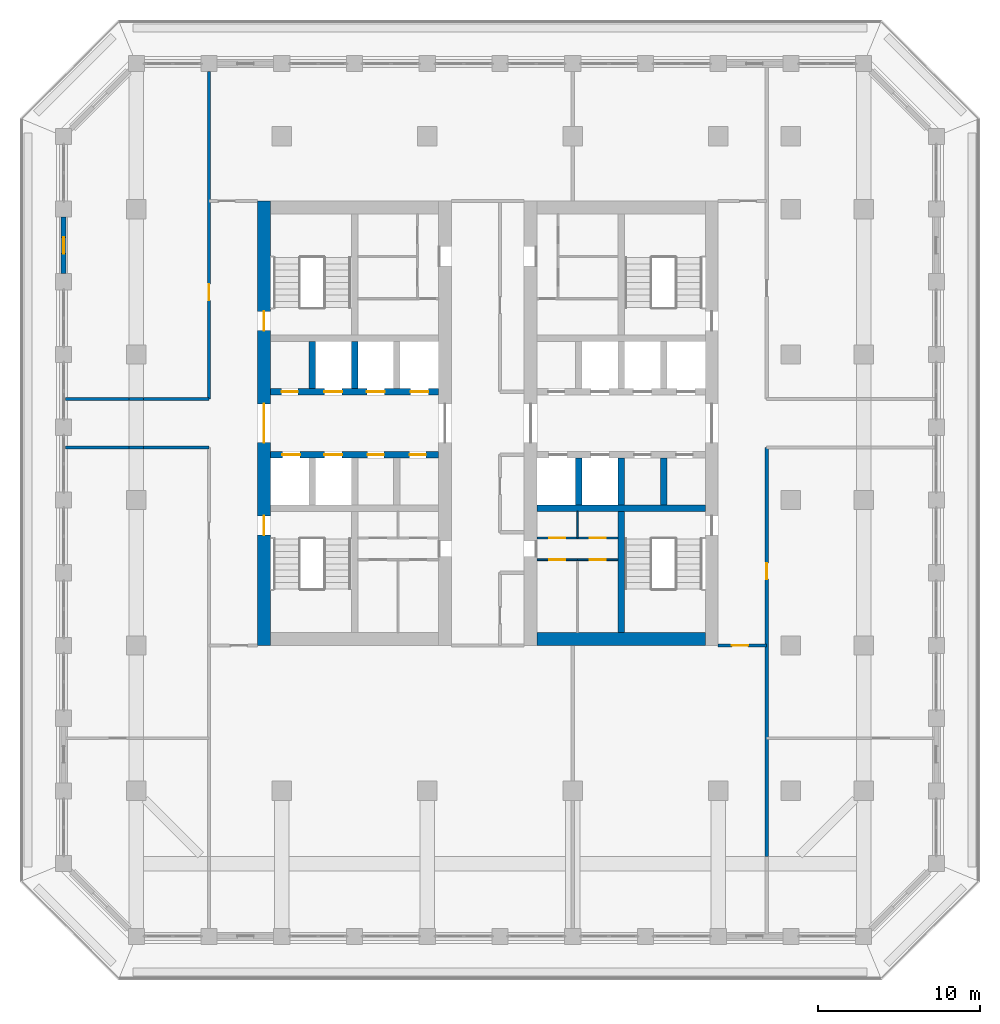
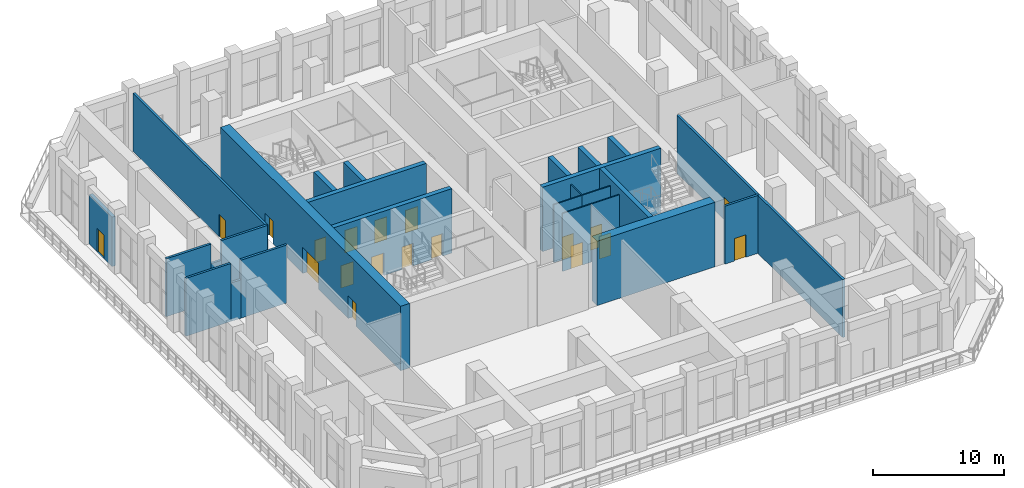
# One storey, part 14 of 25: 26 walls, 19 doors, 19 openings.
"""IFC4 building model written with IfcOpenShell, lengths in metres."""

from ifc_helpers import new_model, si_unit, direction, frame, frame_2d, origin, place, context, subcontext, project, spatial, rectangle, extrude, material, layer, layer_set, type_object, element, fill, save


model = new_model("IFC4")

# Units and contexts
model_context = context("Model", 3, precision=1e-05, world=origin(), true_north=direction((0.0, 1.0)))
body_context = subcontext(model_context, "Body", "Model", "MODEL_VIEW")
ifc_project = project(units=[si_unit("LENGTHUNIT", "METRE"), si_unit("AREAUNIT", "SQUARE_METRE"), si_unit("VOLUMEUNIT", "CUBIC_METRE"), si_unit("PLANEANGLEUNIT", "RADIAN"), si_unit("MASSUNIT", "GRAM", prefix="KILO")], contexts=[model_context])

# Site, building, storey
site_placement = place(None, origin())
site = spatial("IfcSite", under=ifc_project, at=site_placement, CompositionType="ELEMENT")
building_placement = place(site_placement, origin())
building = spatial("IfcBuilding", under=site, at=building_placement, Name="Corbel Stack Research Tower", CompositionType="ELEMENT")
storey_placement = place(building_placement, frame((0.0, 0.0, 220.199951171875)))
storey = spatial("IfcBuildingStorey", under=building, at=storey_placement, Name="L50", CompositionType="ELEMENT", Elevation=220.199951171875)

# Wall, openings, doors
ifc_material_1 = material(Name="Concrete C60/75", Category="concrete")
ifc_layer_1 = layer(ifc_material_1, 0.39990234375)
ifc_layer_set_1 = layer_set([ifc_layer_1], Name="Concrete C60/75")
wall_type_1 = type_object("IfcWallType", Name="CW-400-60", PredefinedType="SHEAR", material=ifc_layer_set_1)
wall_1_placement = place(storey_placement, frame((-9.699951171875, 2.800048828125, 0.0), z_axis=(0.0, 0.0, 1.0), x_axis=(1.0, 0.0, 0.0)))
wall_1 = element("IfcWall", 1, at=wall_1_placement, inside=storey, type_object=wall_type_1, Name="West core wall, lobby south L50", PredefinedType="SHEAR", context=body_context, shape_type="SweptSolid", body=[
    extrude(rectangle(XDim=10.39990234375, YDim=0.39990234375, at=frame_2d((5.199951171875, 0.0))), origin(), (0.0, 0.0, 1.0), 6.0),
])
opening_1_placement = place(wall_1_placement, frame((0.737548828125, 0.0, 0.0)))
opening_1 = element("IfcOpeningElement", 2, at=opening_1_placement, cuts=wall_1, Name="Opening LD-FS1", PredefinedType="OPENING", context=body_context, shape_type="SweptSolid", body=[
    extrude(rectangle(XDim=1.10009765625, YDim=2.10009765625, at=frame_2d((0.550048828125, 1.050048828125))), frame((0.0, 0.2099609375, 0.0), z_axis=(0.0, -1.0, 0.0), x_axis=(1.0, 0.0, 0.0)), (0.0, 0.0, 1.0), 0.419921875),
])
opening_2_placement = place(wall_1_placement, frame((3.33740234375, 0.0, 0.0)))
opening_2 = element("IfcOpeningElement", 3, at=opening_2_placement, cuts=wall_1, Name="Opening LD-GL1", PredefinedType="OPENING", context=body_context, shape_type="SweptSolid", body=[
    extrude(rectangle(XDim=1.10009765625, YDim=2.10009765625, at=frame_2d((0.550048828125, 1.050048828125))), frame((0.0, 0.2099609375, 0.0), z_axis=(0.0, -1.0, 0.0), x_axis=(1.0, 0.0, 0.0)), (0.0, 0.0, 1.0), 0.419921875),
])
opening_3_placement = place(wall_1_placement, frame((6.012451171875, 0.0, 0.0)))
opening_3 = element("IfcOpeningElement", 4, at=opening_3_placement, cuts=wall_1, Name="Opening CR-W54-S3", PredefinedType="OPENING", context=body_context, shape_type="SweptSolid", body=[
    extrude(rectangle(XDim=1.0, YDim=2.10009765625, at=frame_2d((0.5, 1.050048828125))), frame((0.0, 0.2099609375, 0.0), z_axis=(0.0, -1.0, 0.0), x_axis=(1.0, 0.0, 0.0)), (0.0, 0.0, 1.0), 0.419921875),
])
opening_4_placement = place(wall_1_placement, frame((8.612548828125, 0.0, 0.0)))
opening_4 = element("IfcOpeningElement", 5, at=opening_4_placement, cuts=wall_1, Name="Opening CR-W54-S4", PredefinedType="OPENING", context=body_context, shape_type="SweptSolid", body=[
    extrude(rectangle(XDim=1.0, YDim=2.10009765625, at=frame_2d((0.5, 1.050048828125))), frame((0.0, 0.2099609375, 0.0), z_axis=(0.0, -1.0, 0.0), x_axis=(1.0, 0.0, 0.0)), (0.0, 0.0, 1.0), 0.419921875),
])
ifc_material_2 = material(Name="Stainless steel landing door", Category="steel")
door_type_1 = type_object("IfcDoorType", Name="Lift landing door 1100 x 2100", OperationType="DOUBLE_DOOR_SLIDING", PredefinedType="DOOR", material=ifc_material_2)
door_1_placement = place(opening_1_placement, origin())
door_1 = element("IfcDoor", 6, at=door_1_placement, inside=storey, type_object=door_type_1, Name="Landing door FS1", OperationType="DOUBLE_DOOR_SLIDING", OverallHeight=2.10009765625, OverallWidth=1.10009765625, PredefinedType="DOOR", context=body_context, shape_type="SweptSolid", body=[
    extrude(rectangle(XDim=1.10009765625, YDim=2.10009765625, at=frame_2d((0.550048828125, 1.050048828125))), frame((0.0, 0.02490234375, 0.0), z_axis=(0.0, -1.0, 0.0), x_axis=(1.0, 0.0, 0.0)), (0.0, 0.0, 1.0), 0.050048828125),
])
fill(opening_1, door_1)
door_2_placement = place(opening_2_placement, origin())
door_2 = element("IfcDoor", 7, at=door_2_placement, inside=storey, type_object=door_type_1, Name="Landing door GL1", OperationType="DOUBLE_DOOR_SLIDING", OverallHeight=2.10009765625, OverallWidth=1.10009765625, PredefinedType="DOOR", context=body_context, shape_type="SweptSolid", body=[
    extrude(rectangle(XDim=1.10009765625, YDim=2.10009765625, at=frame_2d((0.550048828125, 1.050048828125))), frame((0.0, 0.02490234375, 0.0), z_axis=(0.0, -1.0, 0.0), x_axis=(1.0, 0.0, 0.0)), (0.0, 0.0, 1.0), 0.050048828125),
])
fill(opening_2, door_2)
ifc_material_3 = material(Name="Painted steel door", Category="steel")
door_type_2 = type_object("IfcDoorType", Name="Service door 1000 x 2100 FD60 left hand", OperationType="SINGLE_SWING_LEFT", PredefinedType="DOOR", material=ifc_material_3)
door_3_placement = place(opening_3_placement, origin())
door_3 = element("IfcDoor", 8, at=door_3_placement, inside=storey, type_object=door_type_2, Name="Telecom room door W core", OperationType="SINGLE_SWING_LEFT", OverallHeight=2.10009765625, OverallWidth=1.0, PredefinedType="DOOR", context=body_context, shape_type="SweptSolid", body=[
    extrude(rectangle(XDim=1.0, YDim=2.10009765625, at=frame_2d((0.5, 1.050048828125))), frame((0.0, 0.02490234375, 0.0), z_axis=(0.0, -1.0, 0.0), x_axis=(1.0, 0.0, 0.0)), (0.0, 0.0, 1.0), 0.050048828125),
])
fill(opening_3, door_3)
ifc_material_4 = material(Name="Painted steel door", Category="steel")
door_type_3 = type_object("IfcDoorType", Name="Service door 1000 x 2100 FD60 right hand", OperationType="SINGLE_SWING_RIGHT", PredefinedType="DOOR", material=ifc_material_4)
door_4_placement = place(opening_4_placement, origin())
door_4 = element("IfcDoor", 9, at=door_4_placement, inside=storey, type_object=door_type_3, Name="Copy and supply store door W core", OperationType="SINGLE_SWING_RIGHT", OverallHeight=2.10009765625, OverallWidth=1.0, PredefinedType="DOOR", context=body_context, shape_type="SweptSolid", body=[
    extrude(rectangle(XDim=1.0, YDim=2.10009765625, at=frame_2d((0.5, 1.050048828125))), frame((0.0, 0.02490234375, 0.0), z_axis=(0.0, -1.0, 0.0), x_axis=(1.0, 0.0, 0.0)), (0.0, 0.0, 1.0), 0.050048828125),
])
fill(opening_4, door_4)

wall_2_placement = place(storey_placement, frame((-9.699951171875, 6.699951171875, 0.0), z_axis=(0.0, 0.0, 1.0), x_axis=(1.0, 0.0, 0.0)))
wall_2 = element("IfcWall", 10, at=wall_2_placement, inside=storey, type_object=wall_type_1, Name="West core wall, lobby north L50", PredefinedType="SHEAR", context=body_context, shape_type="SweptSolid", body=[
    extrude(rectangle(XDim=10.39990234375, YDim=0.39990234375, at=frame_2d((5.199951171875, 0.0))), origin(), (0.0, 0.0, 1.0), 6.0),
])
opening_5_placement = place(wall_2_placement, frame((3.33740234375, 0.0, 0.0)))
opening_5 = element("IfcOpeningElement", 11, at=opening_5_placement, cuts=wall_2, Name="Opening LD-HR1", PredefinedType="OPENING", context=body_context, shape_type="SweptSolid", body=[
    extrude(rectangle(XDim=1.10009765625, YDim=2.10009765625, at=frame_2d((0.550048828125, 1.050048828125))), frame((0.0, 0.2099609375, 0.0), z_axis=(0.0, -1.0, 0.0), x_axis=(1.0, 0.0, 0.0)), (0.0, 0.0, 1.0), 0.419921875),
])
opening_6_placement = place(wall_2_placement, frame((5.96240234375, 0.0, 0.0)))
opening_6 = element("IfcOpeningElement", 12, at=opening_6_placement, cuts=wall_2, Name="Opening LD-HR2", PredefinedType="OPENING", context=body_context, shape_type="SweptSolid", body=[
    extrude(rectangle(XDim=1.10009765625, YDim=2.10009765625, at=frame_2d((0.550048828125, 1.050048828125))), frame((0.0, 0.2099609375, 0.0), z_axis=(0.0, -1.0, 0.0), x_axis=(1.0, 0.0, 0.0)), (0.0, 0.0, 1.0), 0.419921875),
])
opening_7_placement = place(wall_2_placement, frame((8.66259765625, 0.0, 0.0)))
opening_7 = element("IfcOpeningElement", 13, at=opening_7_placement, cuts=wall_2, Name="Opening LD-HR3", PredefinedType="OPENING", context=body_context, shape_type="SweptSolid", body=[
    extrude(rectangle(XDim=1.10009765625, YDim=2.10009765625, at=frame_2d((0.550048828125, 1.050048828125))), frame((0.0, 0.2099609375, 0.0), z_axis=(0.0, -1.0, 0.0), x_axis=(1.0, 0.0, 0.0)), (0.0, 0.0, 1.0), 0.419921875),
])
opening_8_placement = place(wall_2_placement, frame((0.6875, 0.0, 0.0)))
opening_8 = element("IfcOpeningElement", 14, at=opening_8_placement, cuts=wall_2, Name="Opening CR-W54-N1", PredefinedType="OPENING", context=body_context, shape_type="SweptSolid", body=[
    extrude(rectangle(XDim=1.0, YDim=2.10009765625, at=frame_2d((0.5, 1.050048828125))), frame((0.0, 0.2099609375, 0.0), z_axis=(0.0, -1.0, 0.0), x_axis=(1.0, 0.0, 0.0)), (0.0, 0.0, 1.0), 0.419921875),
])
door_5_placement = place(opening_5_placement, origin())
door_5 = element("IfcDoor", 15, at=door_5_placement, inside=storey, type_object=door_type_1, Name="Landing door HR1", OperationType="DOUBLE_DOOR_SLIDING", OverallHeight=2.10009765625, OverallWidth=1.10009765625, PredefinedType="DOOR", context=body_context, shape_type="SweptSolid", body=[
    extrude(rectangle(XDim=1.10009765625, YDim=2.10009765625, at=frame_2d((0.550048828125, 1.050048828125))), frame((0.0, 0.02490234375, 0.0), z_axis=(0.0, -1.0, 0.0), x_axis=(1.0, 0.0, 0.0)), (0.0, 0.0, 1.0), 0.050048828125),
])
fill(opening_5, door_5)
door_6_placement = place(opening_6_placement, origin())
door_6 = element("IfcDoor", 16, at=door_6_placement, inside=storey, type_object=door_type_1, Name="Landing door HR2", OperationType="DOUBLE_DOOR_SLIDING", OverallHeight=2.10009765625, OverallWidth=1.10009765625, PredefinedType="DOOR", context=body_context, shape_type="SweptSolid", body=[
    extrude(rectangle(XDim=1.10009765625, YDim=2.10009765625, at=frame_2d((0.550048828125, 1.050048828125))), frame((0.0, 0.02490234375, 0.0), z_axis=(0.0, -1.0, 0.0), x_axis=(1.0, 0.0, 0.0)), (0.0, 0.0, 1.0), 0.050048828125),
])
fill(opening_6, door_6)
door_7_placement = place(opening_7_placement, origin())
door_7 = element("IfcDoor", 17, at=door_7_placement, inside=storey, type_object=door_type_1, Name="Landing door HR3", OperationType="DOUBLE_DOOR_SLIDING", OverallHeight=2.10009765625, OverallWidth=1.10009765625, PredefinedType="DOOR", context=body_context, shape_type="SweptSolid", body=[
    extrude(rectangle(XDim=1.10009765625, YDim=2.10009765625, at=frame_2d((0.550048828125, 1.050048828125))), frame((0.0, 0.02490234375, 0.0), z_axis=(0.0, -1.0, 0.0), x_axis=(1.0, 0.0, 0.0)), (0.0, 0.0, 1.0), 0.050048828125),
])
fill(opening_7, door_7)
door_8_placement = place(opening_8_placement, origin())
door_8 = element("IfcDoor", 18, at=door_8_placement, inside=storey, type_object=door_type_2, Name="Records store door W core", OperationType="SINGLE_SWING_LEFT", OverallHeight=2.10009765625, OverallWidth=1.0, PredefinedType="DOOR", context=body_context, shape_type="SweptSolid", body=[
    extrude(rectangle(XDim=1.0, YDim=2.10009765625, at=frame_2d((0.5, 1.050048828125))), frame((0.0, 0.02490234375, 0.0), z_axis=(0.0, -1.0, 0.0), x_axis=(1.0, 0.0, 0.0)), (0.0, 0.0, 1.0), 0.050048828125),
])
fill(opening_8, door_8)

# Walls
for number, where, z_axis, x_axis, name in (
    (19, (-7.125, 6.89990234375, 0.0), (0.0, 0.0, 1.0), (0.0, 1.0, 0.0), "West core wall, north shaft 1 L50"),
    (20, (-4.5, 6.89990234375, 0.0), (0.0, 0.0, 1.0), (0.0, 1.0, 0.0), "West core wall, north shaft 2 L50"),
):
    element("IfcWall", number, at=place(storey_placement, frame(where, z_axis=z_axis, x_axis=x_axis)), inside=storey, type_object=wall_type_1, Name=name, PredefinedType="SHEAR", context=body_context, shape_type="SweptSolid", body=[
        extrude(rectangle(XDim=2.900146484375, YDim=0.39990234375, at=frame_2d((1.4501953125, 0.0))), origin(), (0.0, 0.0, 1.0), 6.0),
    ])
wall_3_placement = place(storey_placement, frame((6.800048828125, -0.5, 0.0), z_axis=(0.0, 0.0, 1.0), x_axis=(1.0, 0.0, 0.0)))
element("IfcWall", 21, at=wall_3_placement, inside=storey, type_object=wall_type_1, Name="East core wall, south row back L50", PredefinedType="SHEAR", context=body_context, shape_type="SweptSolid", body=[
    extrude(rectangle(XDim=10.39990234375, YDim=0.39990234375, at=frame_2d((5.199951171875, 0.0))), origin(), (0.0, 0.0, 1.0), 6.0),
])
for number, where, z_axis, x_axis, name in (
    (22, (9.375, -0.300048828125, 0.0), (0.0, 0.0, 1.0), (0.0, 1.0, 0.0), "East core wall, south shaft 1 L50"),
    (23, (12.0, -0.300048828125, 0.0), (0.0, 0.0, 1.0), (0.0, 1.0, 0.0), "East core wall, south shaft 2 L50"),
    (24, (14.625, -0.300048828125, 0.0), (0.0, 0.0, 1.0), (0.0, 1.0, 0.0), "East core wall, south shaft 3 L50"),
):
    element("IfcWall", number, at=place(storey_placement, frame(where, z_axis=z_axis, x_axis=x_axis)), inside=storey, type_object=wall_type_1, Name=name, PredefinedType="SHEAR", context=body_context, shape_type="SweptSolid", body=[
        extrude(rectangle(XDim=2.900146484375, YDim=0.39990234375, at=frame_2d((1.4501953125, 0.0))), origin(), (0.0, 0.0, 1.0), 6.0),
    ])
wall_4_placement = place(storey_placement, frame((12.0, -8.199951171875, 0.0), z_axis=(0.0, 0.0, 1.0), x_axis=(0.0, 1.0, 0.0)))
element("IfcWall", 25, at=wall_4_placement, inside=storey, type_object=wall_type_1, Name="East core wall, south stair and WC L50", PredefinedType="SHEAR", context=body_context, shape_type="SweptSolid", body=[
    extrude(rectangle(XDim=7.5, YDim=0.39990234375, at=frame_2d((3.75, 0.0))), origin(), (0.0, 0.0, 1.0), 6.0),
])

# Wall, openings, doors
ifc_material_5 = material(Name="Concrete C60/75", Category="concrete")
ifc_layer_2 = layer(ifc_material_5, 0.800048828125)
ifc_layer_set_2 = layer_set([ifc_layer_2], Name="Concrete C60/75")
wall_type_2 = type_object("IfcWallType", Name="CW-800-60", PredefinedType="SHEAR", material=ifc_layer_set_2)
wall_5_placement = place(storey_placement, frame((-10.10009765625, -9.0, 0.0), z_axis=(0.0, 0.0, 1.0), x_axis=(0.0, 1.0, 0.0)))
wall_5 = element("IfcWall", 26, at=wall_5_placement, inside=storey, type_object=wall_type_2, Name="West core wall, west face L50", PredefinedType="SHEAR", context=body_context, shape_type="SweptSolid", body=[
    extrude(rectangle(XDim=27.5, YDim=0.800048828125, at=frame_2d((13.75, 0.0))), origin(), (0.0, 0.0, 1.0), 6.0),
])
opening_9_placement = place(wall_5_placement, frame((12.550048828125, 0.0, 0.0)))
opening_9 = element("IfcOpeningElement", 27, at=opening_9_placement, cuts=wall_5, Name="Opening CD-W-W", PredefinedType="OPENING", context=body_context, shape_type="SweptSolid", body=[
    extrude(rectangle(XDim=2.39990234375, YDim=2.39990234375, at=frame_2d((1.199951171875, 1.199951171875))), frame((0.0, 0.409912109375, 0.0), z_axis=(0.0, -1.0, 0.0), x_axis=(1.0, 0.0, 0.0)), (0.0, 0.0, 1.0), 0.820068359375),
])
opening_10_placement = place(wall_5_placement, frame((6.824951171875, 0.0, 0.0)))
opening_10 = element("IfcOpeningElement", 28, at=opening_10_placement, cuts=wall_5, Name="Opening SD-ST-W1", PredefinedType="OPENING", context=body_context, shape_type="SweptSolid", body=[
    extrude(rectangle(XDim=1.199951171875, YDim=2.10009765625, at=frame_2d((0.60009765625, 1.050048828125))), frame((0.0, 0.409912109375, 0.0), z_axis=(0.0, -1.0, 0.0), x_axis=(1.0, 0.0, 0.0)), (0.0, 0.0, 1.0), 0.820068359375),
])
opening_11_placement = place(wall_5_placement, frame((19.47509765625, 0.0, 0.0)))
opening_11 = element("IfcOpeningElement", 29, at=opening_11_placement, cuts=wall_5, Name="Opening SD-ST-W2", PredefinedType="OPENING", context=body_context, shape_type="SweptSolid", body=[
    extrude(rectangle(XDim=1.199951171875, YDim=2.10009765625, at=frame_2d((0.60009765625, 1.050048828125))), frame((0.0, 0.409912109375, 0.0), z_axis=(0.0, -1.0, 0.0), x_axis=(1.0, 0.0, 0.0)), (0.0, 0.0, 1.0), 0.820068359375),
])
ifc_material_6 = material(Name="Painted steel fire door", Category="steel")
door_type_4 = type_object("IfcDoorType", Name="Lobby door pair 2400 x 2400 FD30S", OperationType="DOUBLE_DOOR_DOUBLE_SWING", PredefinedType="DOOR", material=ifc_material_6)
door_9_placement = place(opening_9_placement, origin())
door_9 = element("IfcDoor", 30, at=door_9_placement, inside=storey, type_object=door_type_4, Name="Lift lobby door W core W", OperationType="DOUBLE_DOOR_DOUBLE_SWING", OverallHeight=2.39990234375, OverallWidth=2.39990234375, PredefinedType="DOOR", context=body_context, shape_type="SweptSolid", body=[
    extrude(rectangle(XDim=2.39990234375, YDim=2.39990234375, at=frame_2d((1.199951171875, 1.199951171875))), frame((0.0, 0.02490234375, 0.0), z_axis=(0.0, -1.0, 0.0), x_axis=(1.0, 0.0, 0.0)), (0.0, 0.0, 1.0), 0.050048828125),
])
fill(opening_9, door_9)
ifc_material_7 = material(Name="Painted steel fire door", Category="steel")
door_type_5 = type_object("IfcDoorType", Name="Stair door 1200 x 2100 FD90 left hand", OperationType="SINGLE_SWING_LEFT", PredefinedType="DOOR", material=ifc_material_7)
door_10_placement = place(opening_10_placement, origin())
door_10 = element("IfcDoor", 31, at=door_10_placement, inside=storey, type_object=door_type_5, Name="Stair door ST-W1", OperationType="SINGLE_SWING_LEFT", OverallHeight=2.10009765625, OverallWidth=1.199951171875, PredefinedType="DOOR", context=body_context, shape_type="SweptSolid", body=[
    extrude(rectangle(XDim=1.199951171875, YDim=2.10009765625, at=frame_2d((0.60009765625, 1.050048828125))), frame((0.0, 0.02490234375, 0.0), z_axis=(0.0, -1.0, 0.0), x_axis=(1.0, 0.0, 0.0)), (0.0, 0.0, 1.0), 0.050048828125),
])
fill(opening_10, door_10)
door_11_placement = place(opening_11_placement, origin())
door_11 = element("IfcDoor", 32, at=door_11_placement, inside=storey, type_object=door_type_5, Name="Stair door ST-W2", OperationType="SINGLE_SWING_LEFT", OverallHeight=2.10009765625, OverallWidth=1.199951171875, PredefinedType="DOOR", context=body_context, shape_type="SweptSolid", body=[
    extrude(rectangle(XDim=1.199951171875, YDim=2.10009765625, at=frame_2d((0.60009765625, 1.050048828125))), frame((0.0, 0.02490234375, 0.0), z_axis=(0.0, -1.0, 0.0), x_axis=(1.0, 0.0, 0.0)), (0.0, 0.0, 1.0), 0.050048828125),
])
fill(opening_11, door_11)

# Wall
wall_6_placement = place(storey_placement, frame((6.800048828125, -8.60009765625, 0.0), z_axis=(0.0, 0.0, 1.0), x_axis=(1.0, 0.0, 0.0)))
element("IfcWall", 33, at=wall_6_placement, inside=storey, type_object=wall_type_2, Name="East core wall, south end L50", PredefinedType="SHEAR", context=body_context, shape_type="SweptSolid", body=[
    extrude(rectangle(XDim=10.39990234375, YDim=0.800048828125, at=frame_2d((5.199951171875, 0.0))), origin(), (0.0, 0.0, 1.0), 6.0),
])

# Wall, opening, door
ifc_material_8 = material(Name="Gypsum board")
ifc_layer_3 = layer(ifc_material_8, 0.10009765625)
ifc_layer_set_3 = layer_set([ifc_layer_3], Name="Gypsum board")
wall_type_3 = type_object("IfcWallType", Name="Core partition 100", PredefinedType="PARTITIONING", material=ifc_layer_set_3)
wall_7_placement = place(storey_placement, frame((6.800048828125, -3.699951171875, 0.0), z_axis=(0.0, 0.0, 1.0), x_axis=(1.0, 0.0, 0.0)))
wall_7 = element("IfcWall", 34, at=wall_7_placement, inside=storey, type_object=wall_type_3, Name="Core partition E", PredefinedType="PARTITIONING", context=body_context, shape_type="SweptSolid", body=[
    extrude(rectangle(XDim=2.5, YDim=0.10009765625, at=frame_2d((1.25, 0.0))), origin(), (0.0, 0.0, 1.0), 5.400146484375),
])
opening_12_placement = place(wall_7_placement, frame((0.75, 0.0, 0.0)))
opening_12 = element("IfcOpeningElement", 35, at=opening_12_placement, cuts=wall_7, Name="Opening CR-E54-W2-1000", PredefinedType="OPENING", context=body_context, shape_type="SweptSolid", body=[
    extrude(rectangle(XDim=1.0, YDim=2.10009765625, at=frame_2d((0.5, 1.050048828125))), frame((0.0, 0.06005859375, 0.0), z_axis=(0.0, -1.0, 0.0), x_axis=(1.0, 0.0, 0.0)), (0.0, 0.0, 1.0), 0.1201171875),
])
ifc_material_9 = material(Name="Painted timber door", Category="wood")
door_type_6 = type_object("IfcDoorType", Name="WC door 1000 x 2100 left hand", OperationType="SINGLE_SWING_LEFT", PredefinedType="DOOR", material=ifc_material_9)
door_12_placement = place(opening_12_placement, origin())
door_12 = element("IfcDoor", 36, at=door_12_placement, inside=storey, type_object=door_type_6, Name="Women's WC door E core", OperationType="SINGLE_SWING_LEFT", OverallHeight=2.10009765625, OverallWidth=1.0, PredefinedType="DOOR", context=body_context, shape_type="SweptSolid", body=[
    extrude(rectangle(XDim=1.0, YDim=2.10009765625, at=frame_2d((0.5, 1.050048828125))), frame((0.0, 0.02490234375, 0.0), z_axis=(0.0, -1.0, 0.0), x_axis=(1.0, 0.0, 0.0)), (0.0, 0.0, 1.0), 0.050048828125),
])
fill(opening_12, door_12)

wall_8_placement = place(storey_placement, frame((9.300048828125, -3.699951171875, 0.0), z_axis=(0.0, 0.0, 1.0), x_axis=(1.0, 0.0, 0.0)))
wall_8 = element("IfcWall", 37, at=wall_8_placement, inside=storey, type_object=wall_type_3, Name="Core partition E", PredefinedType="PARTITIONING", context=body_context, shape_type="SweptSolid", body=[
    extrude(rectangle(XDim=2.5, YDim=0.10009765625, at=frame_2d((1.25, 0.0))), origin(), (0.0, 0.0, 1.0), 5.400146484375),
])
opening_13_placement = place(wall_8_placement, frame((0.75, 0.0, 0.0)))
opening_13 = element("IfcOpeningElement", 38, at=opening_13_placement, cuts=wall_8, Name="Opening CR-E54-W3-1000", PredefinedType="OPENING", context=body_context, shape_type="SweptSolid", body=[
    extrude(rectangle(XDim=1.0, YDim=2.10009765625, at=frame_2d((0.5, 1.050048828125))), frame((0.0, 0.06005859375, 0.0), z_axis=(0.0, -1.0, 0.0), x_axis=(1.0, 0.0, 0.0)), (0.0, 0.0, 1.0), 0.1201171875),
])
ifc_material_10 = material(Name="Painted timber door", Category="wood")
door_type_7 = type_object("IfcDoorType", Name="WC door 1000 x 2100 right hand", OperationType="SINGLE_SWING_RIGHT", PredefinedType="DOOR", material=ifc_material_10)
door_13_placement = place(opening_13_placement, origin())
door_13 = element("IfcDoor", 39, at=door_13_placement, inside=storey, type_object=door_type_7, Name="Men's WC door E core", OperationType="SINGLE_SWING_RIGHT", OverallHeight=2.10009765625, OverallWidth=1.0, PredefinedType="DOOR", context=body_context, shape_type="SweptSolid", body=[
    extrude(rectangle(XDim=1.0, YDim=2.10009765625, at=frame_2d((0.5, 1.050048828125))), frame((0.0, 0.02490234375, 0.0), z_axis=(0.0, -1.0, 0.0), x_axis=(1.0, 0.0, 0.0)), (0.0, 0.0, 1.0), 0.050048828125),
])
fill(opening_13, door_13)

wall_9_placement = place(storey_placement, frame((6.800048828125, -2.35009765625, 0.0), z_axis=(0.0, 0.0, 1.0), x_axis=(1.0, 0.0, 0.0)))
wall_9 = element("IfcWall", 40, at=wall_9_placement, inside=storey, type_object=wall_type_3, Name="Core partition E", PredefinedType="PARTITIONING", context=body_context, shape_type="SweptSolid", body=[
    extrude(rectangle(XDim=2.5, YDim=0.10009765625, at=frame_2d((1.25, 0.0))), origin(), (0.0, 0.0, 1.0), 5.400146484375),
])
opening_14_placement = place(wall_9_placement, frame((0.75, 0.0, 0.0)))
opening_14 = element("IfcOpeningElement", 41, at=opening_14_placement, cuts=wall_9, Name="Opening CR-E54-W4-1000", PredefinedType="OPENING", context=body_context, shape_type="SweptSolid", body=[
    extrude(rectangle(XDim=1.0, YDim=2.10009765625, at=frame_2d((0.5, 1.050048828125))), frame((0.0, 0.06005859375, 0.0), z_axis=(0.0, -1.0, 0.0), x_axis=(1.0, 0.0, 0.0)), (0.0, 0.0, 1.0), 0.1201171875),
])
door_14_placement = place(opening_14_placement, origin())
door_14 = element("IfcDoor", 42, at=door_14_placement, inside=storey, type_object=door_type_6, Name="Accessible WC door E core", OperationType="SINGLE_SWING_LEFT", OverallHeight=2.10009765625, OverallWidth=1.0, PredefinedType="DOOR", context=body_context, shape_type="SweptSolid", body=[
    extrude(rectangle(XDim=1.0, YDim=2.10009765625, at=frame_2d((0.5, 1.050048828125))), frame((0.0, 0.02490234375, 0.0), z_axis=(0.0, -1.0, 0.0), x_axis=(1.0, 0.0, 0.0)), (0.0, 0.0, 1.0), 0.050048828125),
])
fill(opening_14, door_14)

wall_10_placement = place(storey_placement, frame((9.300048828125, -2.35009765625, 0.0), z_axis=(0.0, 0.0, 1.0), x_axis=(1.0, 0.0, 0.0)))
wall_10 = element("IfcWall", 43, at=wall_10_placement, inside=storey, type_object=wall_type_3, Name="Core partition E", PredefinedType="PARTITIONING", context=body_context, shape_type="SweptSolid", body=[
    extrude(rectangle(XDim=2.5, YDim=0.10009765625, at=frame_2d((1.25, 0.0))), origin(), (0.0, 0.0, 1.0), 5.400146484375),
])
opening_15_placement = place(wall_10_placement, frame((0.75, 0.0, 0.0)))
opening_15 = element("IfcOpeningElement", 44, at=opening_15_placement, cuts=wall_10, Name="Opening CR-E54-W5-1000", PredefinedType="OPENING", context=body_context, shape_type="SweptSolid", body=[
    extrude(rectangle(XDim=1.0, YDim=2.10009765625, at=frame_2d((0.5, 1.050048828125))), frame((0.0, 0.06005859375, 0.0), z_axis=(0.0, -1.0, 0.0), x_axis=(1.0, 0.0, 0.0)), (0.0, 0.0, 1.0), 0.1201171875),
])
door_15_placement = place(opening_15_placement, origin())
door_15 = element("IfcDoor", 45, at=door_15_placement, inside=storey, type_object=door_type_7, Name="Shower and changing room door E core", OperationType="SINGLE_SWING_RIGHT", OverallHeight=2.10009765625, OverallWidth=1.0, PredefinedType="DOOR", context=body_context, shape_type="SweptSolid", body=[
    extrude(rectangle(XDim=1.0, YDim=2.10009765625, at=frame_2d((0.5, 1.050048828125))), frame((0.0, 0.02490234375, 0.0), z_axis=(0.0, -1.0, 0.0), x_axis=(1.0, 0.0, 0.0)), (0.0, 0.0, 1.0), 0.050048828125),
])
fill(opening_15, door_15)

# Wall
wall_11_placement = place(storey_placement, frame((9.300048828125, -2.35009765625, 0.0), z_axis=(0.0, 0.0, 1.0), x_axis=(0.0, 1.0, 0.0)))
element("IfcWall", 46, at=wall_11_placement, inside=storey, type_object=wall_type_3, Name="Core partition E", PredefinedType="PARTITIONING", context=body_context, shape_type="SweptSolid", body=[
    extrude(rectangle(XDim=1.650146484375, YDim=0.10009765625, at=frame_2d((0.8251953125, 0.0))), origin(), (0.0, 0.0, 1.0), 5.400146484375),
])

# Wall, opening, door
ifc_material_11 = material(Name="Fire-rated gypsum board partition on steel studs", Category="steel")
ifc_layer_4 = layer(ifc_material_11, 0.199951171875)
ifc_layer_set_4 = layer_set([ifc_layer_4], Name="Fire-rated gypsum board partition on steel studs")
wall_type_4 = type_object("IfcWallType", Name="Fire-rated partition 200 EI 60", PredefinedType="PARTITIONING", material=ifc_layer_set_4)
wall_12_placement = place(storey_placement, frame((-13.5, 6.25, 0.0), z_axis=(0.0, 0.0, 1.0), x_axis=(0.0, 1.0, 0.0)))
wall_12 = element("IfcWall", 47, at=wall_12_placement, inside=storey, type_object=wall_type_4, Name="Partition L50-004", PredefinedType="PARTITIONING", context=body_context, shape_type="SweptSolid", body=[
    extrude(rectangle(XDim=20.25, YDim=0.199951171875, at=frame_2d((10.125, 0.0))), origin(), (0.0, 0.0, 1.0), 5.400146484375),
])
opening_16_placement = place(wall_12_placement, frame((6.10009765625, 0.0, 0.0)))
opening_16 = element("IfcOpeningElement", 48, at=opening_16_placement, cuts=wall_12, Name="Opening B6AM-004", PredefinedType="OPENING", context=body_context, shape_type="SweptSolid", body=[
    extrude(rectangle(XDim=1.0, YDim=2.10009765625, at=frame_2d((0.5, 1.050048828125))), frame((0.0, 0.10986328125, 0.0), z_axis=(0.0, -1.0, 0.0), x_axis=(1.0, 0.0, 0.0)), (0.0, 0.0, 1.0), 0.219970703125),
])
ifc_material_12 = material(Name="Painted steel fire door", Category="steel")
door_type_8 = type_object("IfcDoorType", Name="Fire door FD30S 1000 x 2100", OperationType="NOTDEFINED", PredefinedType="DOOR", material=ifc_material_12)
door_16_placement = place(opening_16_placement, origin())
door_16 = element("IfcDoor", 49, at=door_16_placement, inside=storey, type_object=door_type_8, Name="Door B6AM-004", OperationType="SINGLE_SWING_LEFT", OverallHeight=2.10009765625, OverallWidth=1.0, PredefinedType="DOOR", context=body_context, shape_type="SweptSolid", body=[
    extrude(rectangle(XDim=1.0, YDim=2.10009765625, at=frame_2d((0.5, 1.050048828125))), frame((0.0, 0.02490234375, 0.0), z_axis=(0.0, -1.0, 0.0), x_axis=(1.0, 0.0, 0.0)), (0.0, 0.0, 1.0), 0.050048828125),
])
fill(opening_16, door_16)

wall_13_placement = place(storey_placement, frame((21.0, 3.25, 0.0), z_axis=(0.0, 0.0, 1.0), x_axis=(0.0, -1.0, 0.0)))
wall_13 = element("IfcWall", 50, at=wall_13_placement, inside=storey, type_object=wall_type_4, Name="Partition L50-014", PredefinedType="PARTITIONING", context=body_context, shape_type="SweptSolid", body=[
    extrude(rectangle(XDim=25.300048828125, YDim=0.199951171875, at=frame_2d((12.64990234375, 0.0))), origin(), (0.0, 0.0, 1.0), 5.400146484375),
])
opening_17_placement = place(wall_13_placement, frame((7.14990234375, 0.0, 0.0)))
opening_17 = element("IfcOpeningElement", 51, at=opening_17_placement, cuts=wall_13, Name="Opening B6AM-012", PredefinedType="OPENING", context=body_context, shape_type="SweptSolid", body=[
    extrude(rectangle(XDim=1.0, YDim=2.10009765625, at=frame_2d((0.5, 1.050048828125))), frame((0.0, 0.10986328125, 0.0), z_axis=(0.0, -1.0, 0.0), x_axis=(1.0, 0.0, 0.0)), (0.0, 0.0, 1.0), 0.219970703125),
])
door_17_placement = place(opening_17_placement, origin())
door_17 = element("IfcDoor", 52, at=door_17_placement, inside=storey, type_object=door_type_8, Name="Door B6AM-012", OperationType="SINGLE_SWING_LEFT", OverallHeight=2.10009765625, OverallWidth=1.0, PredefinedType="DOOR", context=body_context, shape_type="SweptSolid", body=[
    extrude(rectangle(XDim=1.0, YDim=2.10009765625, at=frame_2d((0.5, 1.050048828125))), frame((0.0, 0.02490234375, 0.0), z_axis=(0.0, -1.0, 0.0), x_axis=(1.0, 0.0, 0.0)), (0.0, 0.0, 1.0), 0.050048828125),
])
fill(opening_17, door_17)

wall_14_placement = place(storey_placement, frame((21.0, -9.0, 0.0), z_axis=(0.0, 0.0, 1.0), x_axis=(-1.0, 0.0, 0.0)))
wall_14 = element("IfcWall", 53, at=wall_14_placement, inside=storey, type_object=wall_type_4, Name="Partition L50-024", PredefinedType="PARTITIONING", context=body_context, shape_type="SweptSolid", body=[
    extrude(rectangle(XDim=3.0, YDim=0.199951171875, at=frame_2d((1.5, 0.0))), origin(), (0.0, 0.0, 1.0), 5.400146484375),
])
opening_18_placement = place(wall_14_placement, frame((1.14990234375, 0.0, 0.0)))
opening_18 = element("IfcOpeningElement", 54, at=opening_18_placement, cuts=wall_14, Name="Opening B6AM-006", PredefinedType="OPENING", context=body_context, shape_type="SweptSolid", body=[
    extrude(rectangle(XDim=1.0, YDim=2.10009765625, at=frame_2d((0.5, 1.050048828125))), frame((0.0, 0.10986328125, 0.0), z_axis=(0.0, -1.0, 0.0), x_axis=(1.0, 0.0, 0.0)), (0.0, 0.0, 1.0), 0.219970703125),
])
door_18_placement = place(opening_18_placement, origin())
door_18 = element("IfcDoor", 55, at=door_18_placement, inside=storey, type_object=door_type_8, Name="Door B6AM-006", OperationType="SINGLE_SWING_RIGHT", OverallHeight=2.10009765625, OverallWidth=1.0, PredefinedType="DOOR", context=body_context, shape_type="SweptSolid", body=[
    extrude(rectangle(XDim=1.0, YDim=2.10009765625, at=frame_2d((0.5, 1.050048828125))), frame((0.0, 0.02490234375, 0.0), z_axis=(0.0, -1.0, 0.0), x_axis=(1.0, 0.0, 0.0)), (0.0, 0.0, 1.0), 0.050048828125),
])
fill(opening_18, door_18)

# Walls
wall_15_placement = place(storey_placement, frame((-22.39990234375, 3.25, 0.0), z_axis=(0.0, 0.0, 1.0), x_axis=(1.0, 0.0, 0.0)))
element("IfcWall", 56, at=wall_15_placement, inside=storey, type_object=wall_type_4, Name="Partition L50-028", PredefinedType="PARTITIONING", context=body_context, shape_type="SweptSolid", body=[
    extrude(rectangle(XDim=3.949951171875, YDim=0.199951171875, at=frame_2d((1.97509765625, 0.0))), origin(), (0.0, 0.0, 1.0), 5.400146484375),
])
wall_16_placement = place(storey_placement, frame((-18.449951171875, 3.25, 0.0), z_axis=(0.0, 0.0, 1.0), x_axis=(1.0, 0.0, 0.0)))
element("IfcWall", 57, at=wall_16_placement, inside=storey, type_object=wall_type_4, Name="Partition L50-029", PredefinedType="PARTITIONING", context=body_context, shape_type="SweptSolid", body=[
    extrude(rectangle(XDim=0.89990234375, YDim=0.199951171875, at=frame_2d((0.449951171875, 0.0))), origin(), (0.0, 0.0, 1.0), 3.570068359375),
])
wall_17_placement = place(storey_placement, frame((-17.550048828125, 3.25, 0.0), z_axis=(0.0, 0.0, 1.0), x_axis=(1.0, 0.0, 0.0)))
element("IfcWall", 58, at=wall_17_placement, inside=storey, type_object=wall_type_4, Name="Partition L50-030", PredefinedType="PARTITIONING", context=body_context, shape_type="SweptSolid", body=[
    extrude(rectangle(XDim=4.050048828125, YDim=0.199951171875, at=frame_2d((2.02490234375, 0.0))), origin(), (0.0, 0.0, 1.0), 5.400146484375),
])
wall_18_placement = place(storey_placement, frame((-22.39990234375, 6.25, 0.0), z_axis=(0.0, 0.0, 1.0), x_axis=(1.0, 0.0, 0.0)))
element("IfcWall", 59, at=wall_18_placement, inside=storey, type_object=wall_type_4, Name="Partition L50-034", PredefinedType="PARTITIONING", context=body_context, shape_type="SweptSolid", body=[
    extrude(rectangle(XDim=3.949951171875, YDim=0.199951171875, at=frame_2d((1.97509765625, 0.0))), origin(), (0.0, 0.0, 1.0), 5.400146484375),
])
wall_19_placement = place(storey_placement, frame((-18.449951171875, 6.25, 0.0), z_axis=(0.0, 0.0, 1.0), x_axis=(1.0, 0.0, 0.0)))
element("IfcWall", 60, at=wall_19_placement, inside=storey, type_object=wall_type_4, Name="Partition L50-035", PredefinedType="PARTITIONING", context=body_context, shape_type="SweptSolid", body=[
    extrude(rectangle(XDim=0.89990234375, YDim=0.199951171875, at=frame_2d((0.449951171875, 0.0))), origin(), (0.0, 0.0, 1.0), 3.570068359375),
])
wall_20_placement = place(storey_placement, frame((-17.550048828125, 6.25, 0.0), z_axis=(0.0, 0.0, 1.0), x_axis=(1.0, 0.0, 0.0)))
element("IfcWall", 61, at=wall_20_placement, inside=storey, type_object=wall_type_4, Name="Partition L50-036", PredefinedType="PARTITIONING", context=body_context, shape_type="SweptSolid", body=[
    extrude(rectangle(XDim=4.050048828125, YDim=0.199951171875, at=frame_2d((2.02490234375, 0.0))), origin(), (0.0, 0.0, 1.0), 5.400146484375),
])

# Wall, opening, door
ifc_material_13 = material(Name="Concrete C45/55", Category="concrete")
ifc_layer_5 = layer(ifc_material_13, 0.300048828125)
ifc_layer_set_5 = layer_set([ifc_layer_5], Name="Concrete C45/55")
wall_type_5 = type_object("IfcWallType", Name="Terracotta-faced concrete wall 300", PredefinedType="SOLIDWALL", material=ifc_layer_set_5)
wall_21_placement = place(storey_placement, frame((-22.5, 14.0, 0.0), z_axis=(0.0, 0.0, 1.0), x_axis=(0.0, 1.0, 0.0)))
wall_21 = element("IfcWall", 62, at=wall_21_placement, inside=storey, type_object=wall_type_5, Name="Facade wall L50 W02", PredefinedType="SOLIDWALL", context=body_context, shape_type="SweptSolid", body=[
    extrude(rectangle(XDim=3.5, YDim=0.300048828125, at=frame_2d((1.75, 0.0))), origin(), (0.0, 0.0, 1.0), 4.60009765625),
])
opening_19_placement = place(wall_21_placement, frame((1.25, 0.0, 0.0)))
opening_19 = element("IfcOpeningElement", 63, at=opening_19_placement, cuts=wall_21, Name="Opening L50-B10", PredefinedType="OPENING", context=body_context, shape_type="SweptSolid", body=[
    extrude(rectangle(XDim=1.0, YDim=2.199951171875, at=frame_2d((0.5, 1.10009765625))), frame((0.0, 0.159912109375, 0.0), z_axis=(0.0, -1.0, 0.0), x_axis=(1.0, 0.0, 0.0)), (0.0, 0.0, 1.0), 0.320068359375),
])
ifc_material_14 = material(Name="Aluminium frame, clear double glazing", Category="aluminium")
door_type_9 = type_object("IfcDoorType", Name="Balcony door BD1 1000 x 2200", OperationType="NOTDEFINED", PredefinedType="DOOR", material=ifc_material_14)
door_19_placement = place(opening_19_placement, origin())
door_19 = element("IfcDoor", 64, at=door_19_placement, inside=storey, type_object=door_type_9, Name="Balcony door L50-B10", OperationType="SINGLE_SWING_RIGHT", OverallHeight=2.199951171875, OverallWidth=1.0, PredefinedType="DOOR", context=body_context, shape_type="SweptSolid", body=[
    extrude(rectangle(XDim=1.0, YDim=2.199951171875, at=frame_2d((0.5, 1.10009765625))), frame((0.0, 0.02490234375, 0.0), z_axis=(0.0, -1.0, 0.0), x_axis=(1.0, 0.0, 0.0)), (0.0, 0.0, 1.0), 0.050048828125),
])
fill(opening_19, door_19)

save(model, "model.ifc")
